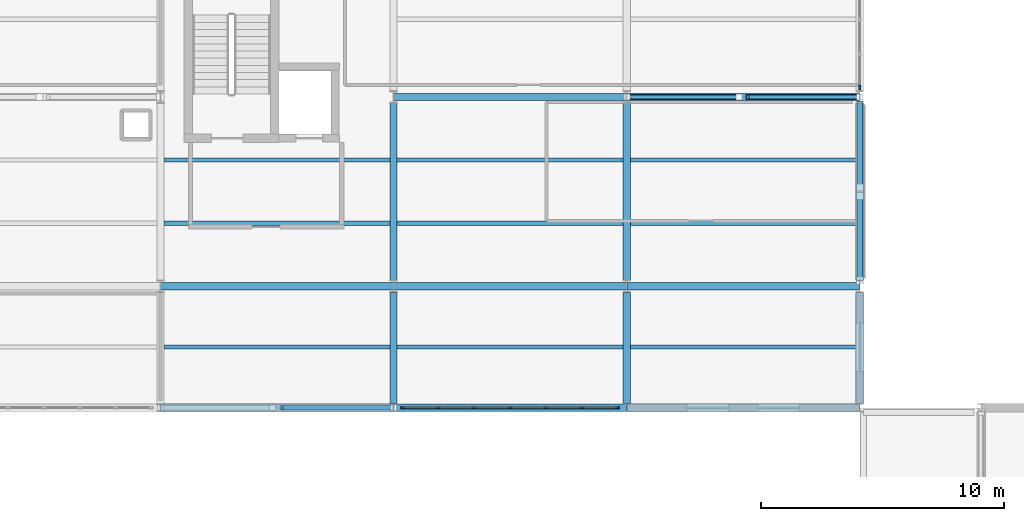
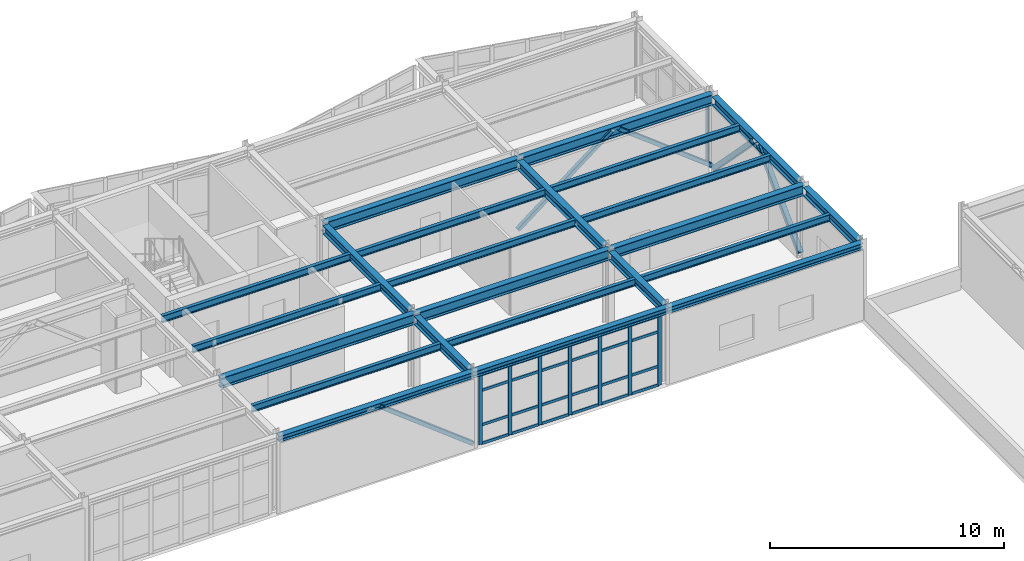
# One storey, part 40 of 76: 37 members, 23 beams, 2 elements without a shape of their own.
"""IFC4 building model written with IfcOpenShell, lengths in metres."""

from ifc_helpers import new_model, si_unit, direction, frame, origin, origin_2d, place, context, subcontext, project, spatial, rectangle, hollow_rectangle, i_section, extrude, material, layer, layer_set, material_profile, profile_set, type_object, element, aggregate, save


model = new_model("IFC4")

# Units and contexts
model_context = context("Model", 3, precision=1e-05, world=origin(), true_north=direction((0.0, 1.0)))
body_context = subcontext(model_context, "Body", "Model", "MODEL_VIEW")
ifc_project = project(units=[si_unit("LENGTHUNIT", "METRE"), si_unit("AREAUNIT", "SQUARE_METRE"), si_unit("VOLUMEUNIT", "CUBIC_METRE"), si_unit("PLANEANGLEUNIT", "RADIAN"), si_unit("MASSUNIT", "GRAM", prefix="KILO")], contexts=[model_context])

# Site, building, storey
site_placement = place(None, origin())
site = spatial("IfcSite", under=ifc_project, at=site_placement, CompositionType="ELEMENT")
building_placement = place(site_placement, origin())
building = spatial("IfcBuilding", under=site, at=building_placement, Name="Nordkorset Police Headquarters", CompositionType="ELEMENT")
storey_placement = place(building_placement, frame((0.0, 0.0, 13.64990234375)))
storey = spatial("IfcBuildingStorey", under=building, at=storey_placement, Name="L03", CompositionType="ELEMENT", Elevation=13.64990234375)

# Beams
ifc_material_1 = material(Name="Steel S355J2", Category="steel")
ifc_material_profile_1 = material_profile(ifc_material_1, i_section(OverallWidth=0.169921875, OverallDepth=0.360107421875, WebThickness=0.008056640625, FlangeThickness=0.0126953125, FilletRadius=0.01806640625, at=origin_2d()), Name="IPE 360")
ifc_profile_set_1 = profile_set([ifc_material_profile_1], Name="Steel S355J2")
beam_type_1 = type_object("IfcBeamType", Name="Beam_IPE_360", PredefinedType="BEAM", material=ifc_profile_set_1)
for number, where, z_axis, x_axis, name in (
    (1, (57.75, 100.10009765625, 3.800048828125), (1.0, 0.0, 0.0), (0.0, 1.0, 0.0), "Composite Floor Beam V2 L03 3-0-1"),
    (2, (57.75, 105.199951171875, 3.800048828125), (1.0, 0.0, 0.0), (0.0, 1.0, 0.0), "Composite Floor Beam V2 L03 3-1-1"),
    (3, (57.75, 107.800048828125, 3.800048828125), (1.0, 0.0, 0.0), (0.0, 1.0, 0.0), "Composite Floor Beam V2 L03 3-1-2"),
):
    element("IfcBeam", number, at=place(storey_placement, frame(where, z_axis=z_axis, x_axis=x_axis)), inside=storey, type_object=beam_type_1, Name=name, PredefinedType="BEAM", context=body_context, shape_type="SweptSolid", body=[
        extrude(i_section(OverallWidth=0.169921875, OverallDepth=0.360107421875, WebThickness=0.008056640625, FlangeThickness=0.0126953125, FilletRadius=0.01806640625, at=origin_2d()), origin(), (0.0, 0.0, 1.0), 9.300048828125),
    ])
for number, where, z_axis, x_axis, name in (
    (4, (67.35009765625, 100.10009765625, 3.800048828125), (1.0, 0.0, 0.0), (0.0, 1.0, 0.0), "Composite Floor Beam V2 L03 4-0-1"),
    (5, (67.35009765625, 105.199951171875, 3.800048828125), (1.0, 0.0, 0.0), (0.0, 1.0, 0.0), "Composite Floor Beam V2 L03 4-1-1"),
    (6, (67.35009765625, 107.800048828125, 3.800048828125), (1.0, 0.0, 0.0), (0.0, 1.0, 0.0), "Composite Floor Beam V2 L03 4-1-2"),
):
    element("IfcBeam", number, at=place(storey_placement, frame(where, z_axis=z_axis, x_axis=x_axis)), inside=storey, type_object=beam_type_1, Name=name, PredefinedType="BEAM", context=body_context, shape_type="SweptSolid", body=[
        extrude(i_section(OverallWidth=0.169921875, OverallDepth=0.360107421875, WebThickness=0.008056640625, FlangeThickness=0.0126953125, FilletRadius=0.01806640625, at=origin_2d()), origin(), (0.0, 0.0, 1.0), 9.2998046875),
    ])
for number, where, z_axis, x_axis, name in (
    (7, (76.949951171875, 100.10009765625, 3.800048828125), (1.0, 0.0, 0.0), (0.0, 1.0, 0.0), "Composite Floor Beam V2 L03 5-0-1"),
    (8, (76.949951171875, 105.199951171875, 3.800048828125), (1.0, 0.0, 0.0), (0.0, 1.0, 0.0), "Composite Floor Beam V2 L03 5-1-1"),
    (9, (76.949951171875, 107.800048828125, 3.800048828125), (1.0, 0.0, 0.0), (0.0, 1.0, 0.0), "Composite Floor Beam V2 L03 5-1-2"),
):
    element("IfcBeam", number, at=place(storey_placement, frame(where, z_axis=z_axis, x_axis=x_axis)), inside=storey, type_object=beam_type_1, Name=name, PredefinedType="BEAM", context=body_context, shape_type="SweptSolid", body=[
        extrude(i_section(OverallWidth=0.169921875, OverallDepth=0.360107421875, WebThickness=0.008056640625, FlangeThickness=0.0126953125, FilletRadius=0.01806640625, at=origin_2d()), origin(), (0.0, 0.0, 1.0), 9.300048828125),
    ])

# Members
ifc_material_2 = material(Name="Steel S355J2", Category="steel")
ifc_material_profile_2 = material_profile(ifc_material_2, hollow_rectangle(XDim=0.199951171875, YDim=0.199951171875, WallThickness=0.010009765625, InnerFilletRadius=0.010009765625, OuterFilletRadius=0.02001953125, at=origin_2d()), Name="SHS 200x200x10")
ifc_profile_set_2 = profile_set([ifc_material_profile_2], Name="Steel S355J2")
member_type_1 = type_object("IfcMemberType", Name="Brace_SHS_200x200x10", PredefinedType="BRACE", material=ifc_profile_set_2)
for number, where, z_axis, x_axis, name in (
    (10, (76.807373046875, 110.39990234375, 0.2001953125), (0.791652543408, 0.0, 0.610971562771), (0.0, 1.0, 0.0), "Lateral Chevron Brace BF-V2-B L03 D1"),
    (11, (86.392578125, 110.39990234375, 0.2001953125), (-0.791652543408, 0.0, 0.610971562771), (0.0, -1.0, 0.0), "Lateral Chevron Brace BF-V2-B L03 D2"),
):
    element("IfcMember", number, at=place(storey_placement, frame(where, z_axis=z_axis, x_axis=x_axis)), inside=storey, type_object=member_type_1, Name=name, PredefinedType="BRACE", context=body_context, shape_type="SweptSolid", body=[
        extrude(hollow_rectangle(XDim=0.199951171875, YDim=0.199951171875, WallThickness=0.010009765625, InnerFilletRadius=0.010009765625, OuterFilletRadius=0.02001953125, at=origin_2d()), origin(), (0.0, 0.0, 1.0), 5.826416015625),
    ])
member_1_placement = place(storey_placement, frame((67.194091796875, 97.60009765625, 0.2001953125), z_axis=(-0.791746363809, 0.0, 0.610849977814), x_axis=(0.0, -1.0, 0.0)))
element("IfcMember", 12, at=member_1_placement, inside=storey, type_object=member_type_1, Name="Lateral Chevron Brace BF-EXT-V2S L03 D2", PredefinedType="BRACE", context=body_context, shape_type="SweptSolid", body=[
    extrude(hollow_rectangle(XDim=0.199951171875, YDim=0.199951171875, WallThickness=0.010009765625, InnerFilletRadius=0.010009765625, OuterFilletRadius=0.02001953125, at=origin_2d()), origin(), (0.0, 0.0, 1.0), 5.82763671875),
])
ifc_material_3 = material(Name="Steel S355J2", Category="steel")
ifc_material_profile_3 = material_profile(ifc_material_3, hollow_rectangle(XDim=0.25, YDim=0.25, WallThickness=0.012451171875, InnerFilletRadius=0.012451171875, OuterFilletRadius=0.02490234375, at=origin_2d()), Name="SHS 250x250x12.5")
ifc_profile_set_3 = profile_set([ifc_material_profile_3], Name="Steel S355J2")
member_type_2 = type_object("IfcMemberType", Name="Brace_SHS_250x250x12.5", PredefinedType="BRACE", material=ifc_profile_set_3)
for number, where, z_axis, x_axis, name in (
    (13, (86.39990234375, 102.85009765625, 0.2001953125), (0.0, 0.69801264089, 0.716085437052), (-1.0, 0.0, 0.0), "Lateral Chevron Brace BF-EXT-V2E L03 D1"),
    (14, (86.39990234375, 110.14990234375, 0.2001953125), (0.0, -0.69801264089, 0.716085437052), (1.0, 0.0, 0.0), "Lateral Chevron Brace BF-EXT-V2E L03 D2"),
):
    element("IfcMember", number, at=place(storey_placement, frame(where, z_axis=z_axis, x_axis=x_axis)), inside=storey, type_object=member_type_2, Name=name, PredefinedType="BRACE", context=body_context, shape_type="SweptSolid", body=[
        extrude(hollow_rectangle(XDim=0.25, YDim=0.25, WallThickness=0.012451171875, InnerFilletRadius=0.012451171875, OuterFilletRadius=0.02490234375, at=origin_2d()), origin(), (0.0, 0.0, 1.0), 4.97119140625),
    ])

# Curtain wall, members
ifc_material_4 = material(Name="Aluminium alloy AW-6060", Category="aluminium")
ifc_layer_1 = layer(ifc_material_4, 0.179931640625, Name="Aluminium alloy AW-6060")
ifc_layer_set_1 = layer_set([ifc_layer_1], Name="Aluminium alloy AW-6060")
curtain_wall_type_1 = type_object("IfcCurtainWallType", Name="CW_Unit_888x365", PredefinedType="USERDEFINED", material=ifc_layer_set_1)
curtain_wall_1_placement = place(storey_placement, origin())
curtain_wall_1 = element("IfcCurtainWall", 15, at=curtain_wall_1_placement, inside=storey, type_object=curtain_wall_type_1, Name="Unitised Curtain Wall L03 V2S-4", ObjectType="UNITISED CURTAIN WALL", PredefinedType="USERDEFINED")
ifc_material_5 = material(Name="Aluminium alloy AW-6060", Category="aluminium")
ifc_material_profile_4 = material_profile(ifc_material_5, rectangle(XDim=0.06494140625, YDim=0.179931640625, at=origin_2d()), Name="ALU MULL 65x180")
ifc_profile_set_4 = profile_set([ifc_material_profile_4], Name="Aluminium alloy AW-6060")
member_type_3 = type_object("IfcMemberType", Name="CW_Mullion_65x180", PredefinedType="MULLION", material=ifc_profile_set_4)
member_2_placement = place(storey_placement, frame((67.592529296875, 97.60009765625, 0.0), z_axis=(0.0, 0.0, 1.0), x_axis=(0.0, 1.0, 0.0)))
member_2 = element("IfcMember", 16, at=member_2_placement, type_object=member_type_3, Name="CW-26 mullion 1", PredefinedType="MULLION", context=body_context, shape_type="SweptSolid", body=[
    extrude(rectangle(XDim=0.06494140625, YDim=0.179931640625, at=origin_2d()), origin(), (0.0, 0.0, 1.0), 3.650146484375),
])
member_3_placement = place(storey_placement, frame((69.0400390625, 97.60009765625, 0.0), z_axis=(0.0, 0.0, 1.0), x_axis=(0.0, 1.0, 0.0)))
member_3 = element("IfcMember", 17, at=member_3_placement, type_object=member_type_3, Name="CW-26 mullion 2", PredefinedType="MULLION", context=body_context, shape_type="SweptSolid", body=[
    extrude(rectangle(XDim=0.06494140625, YDim=0.179931640625, at=origin_2d()), origin(), (0.0, 0.0, 1.0), 3.650146484375),
])
member_4_placement = place(storey_placement, frame((70.52001953125, 97.60009765625, 0.0), z_axis=(0.0, 0.0, 1.0), x_axis=(0.0, 1.0, 0.0)))
member_4 = element("IfcMember", 18, at=member_4_placement, type_object=member_type_3, Name="CW-26 mullion 3", PredefinedType="MULLION", context=body_context, shape_type="SweptSolid", body=[
    extrude(rectangle(XDim=0.06494140625, YDim=0.179931640625, at=origin_2d()), origin(), (0.0, 0.0, 1.0), 3.650146484375),
])
member_5_placement = place(storey_placement, frame((72.0, 97.60009765625, 0.0), z_axis=(0.0, 0.0, 1.0), x_axis=(0.0, 1.0, 0.0)))
member_5 = element("IfcMember", 19, at=member_5_placement, type_object=member_type_3, Name="CW-26 mullion 4", PredefinedType="MULLION", context=body_context, shape_type="SweptSolid", body=[
    extrude(rectangle(XDim=0.06494140625, YDim=0.179931640625, at=origin_2d()), origin(), (0.0, 0.0, 1.0), 3.650146484375),
])
member_6_placement = place(storey_placement, frame((73.47998046875, 97.60009765625, 0.0), z_axis=(0.0, 0.0, 1.0), x_axis=(0.0, 1.0, 0.0)))
member_6 = element("IfcMember", 20, at=member_6_placement, type_object=member_type_3, Name="CW-26 mullion 5", PredefinedType="MULLION", context=body_context, shape_type="SweptSolid", body=[
    extrude(rectangle(XDim=0.06494140625, YDim=0.179931640625, at=origin_2d()), origin(), (0.0, 0.0, 1.0), 3.650146484375),
])
member_7_placement = place(storey_placement, frame((74.9599609375, 97.60009765625, 0.0), z_axis=(0.0, 0.0, 1.0), x_axis=(0.0, 1.0, 0.0)))
member_7 = element("IfcMember", 21, at=member_7_placement, type_object=member_type_3, Name="CW-26 mullion 6", PredefinedType="MULLION", context=body_context, shape_type="SweptSolid", body=[
    extrude(rectangle(XDim=0.06494140625, YDim=0.179931640625, at=origin_2d()), origin(), (0.0, 0.0, 1.0), 3.650146484375),
])
member_8_placement = place(storey_placement, frame((76.407470703125, 97.60009765625, 0.0), z_axis=(0.0, 0.0, 1.0), x_axis=(0.0, 1.0, 0.0)))
member_8 = element("IfcMember", 22, at=member_8_placement, type_object=member_type_3, Name="CW-26 mullion 7", PredefinedType="MULLION", context=body_context, shape_type="SweptSolid", body=[
    extrude(rectangle(XDim=0.06494140625, YDim=0.179931640625, at=origin_2d()), origin(), (0.0, 0.0, 1.0), 3.650146484375),
])

# Curtain wall, member
ifc_material_6 = material(Name="Aluminium alloy AW-6060", Category="aluminium")
ifc_layer_2 = layer(ifc_material_6, 0.179931640625, Name="Aluminium alloy AW-6060")
ifc_layer_set_2 = layer_set([ifc_layer_2], Name="Aluminium alloy AW-6060")
curtain_wall_type_2 = type_object("IfcCurtainWallType", Name="CW_Unit_568x352", PredefinedType="USERDEFINED", material=ifc_layer_set_2)
curtain_wall_2_placement = place(storey_placement, origin())
curtain_wall_2 = element("IfcCurtainWall", 23, at=curtain_wall_2_placement, inside=storey, type_object=curtain_wall_type_2, Name="Unitised Curtain Wall L03 V2E-1", ObjectType="UNITISED CURTAIN WALL", PredefinedType="USERDEFINED")
member_9_placement = place(storey_placement, frame((86.39990234375, 110.79248046875, 0.0), z_axis=(0.0, 0.0, 1.0), x_axis=(-1.0, 0.0, 0.0)))
member_9 = element("IfcMember", 24, at=member_9_placement, type_object=member_type_3, Name="CW-05 mullion 1", PredefinedType="MULLION", context=body_context, shape_type="SweptSolid", body=[
    extrude(rectangle(XDim=0.06494140625, YDim=0.179931640625, at=origin_2d()), origin(), (0.0, 0.0, 1.0), 3.52001953125),
])
aggregate(curtain_wall_2, [member_9])

# Member
ifc_material_7 = material(Name="Aluminium alloy AW-6060", Category="aluminium")
ifc_material_profile_5 = material_profile(ifc_material_7, rectangle(XDim=0.06494140625, YDim=0.139892578125, at=origin_2d()), Name="ALU TRAN 65x140")
ifc_profile_set_5 = profile_set([ifc_material_profile_5], Name="Aluminium alloy AW-6060")
member_type_4 = type_object("IfcMemberType", Name="CW_Transom_65x140", PredefinedType="USERDEFINED", material=ifc_profile_set_5)
member_10_placement = place(storey_placement, frame((67.625, 97.60009765625, 0.03271484375), z_axis=(1.0, 0.0, 0.0), x_axis=(0.0, 1.0, 0.0)))
member_10 = element("IfcMember", 25, at=member_10_placement, type_object=member_type_4, Name="CW-26 transom 1.1", ObjectType="TRANSOM", PredefinedType="USERDEFINED", context=body_context, shape_type="SweptSolid", body=[
    extrude(rectangle(XDim=0.06494140625, YDim=0.139892578125, at=origin_2d()), origin(), (0.0, 0.0, 1.0), 1.382568359375),
])

member_11_placement = place(storey_placement, frame((67.625, 97.60009765625, 1.0), z_axis=(1.0, 0.0, 0.0), x_axis=(0.0, 1.0, 0.0)))
member_11 = element("IfcMember", 26, at=member_11_placement, type_object=member_type_4, Name="CW-26 transom 1.2", ObjectType="TRANSOM", PredefinedType="USERDEFINED", context=body_context, shape_type="SweptSolid", body=[
    extrude(rectangle(XDim=0.06494140625, YDim=0.139892578125, at=origin_2d()), origin(), (0.0, 0.0, 1.0), 1.382568359375),
])

member_12_placement = place(storey_placement, frame((67.625, 97.60009765625, 2.800048828125), z_axis=(1.0, 0.0, 0.0), x_axis=(0.0, 1.0, 0.0)))
member_12 = element("IfcMember", 27, at=member_12_placement, type_object=member_type_4, Name="CW-26 transom 1.3", ObjectType="TRANSOM", PredefinedType="USERDEFINED", context=body_context, shape_type="SweptSolid", body=[
    extrude(rectangle(XDim=0.06494140625, YDim=0.139892578125, at=origin_2d()), origin(), (0.0, 0.0, 1.0), 1.382568359375),
])

member_13_placement = place(storey_placement, frame((67.625, 97.60009765625, 3.61767578125), z_axis=(1.0, 0.0, 0.0), x_axis=(0.0, 1.0, 0.0)))
member_13 = element("IfcMember", 28, at=member_13_placement, type_object=member_type_4, Name="CW-26 transom 1.4", ObjectType="TRANSOM", PredefinedType="USERDEFINED", context=body_context, shape_type="SweptSolid", body=[
    extrude(rectangle(XDim=0.06494140625, YDim=0.139892578125, at=origin_2d()), origin(), (0.0, 0.0, 1.0), 1.382568359375),
])

member_14_placement = place(storey_placement, frame((69.072509765625, 97.60009765625, 0.03271484375), z_axis=(1.0, 0.0, 0.0), x_axis=(0.0, 1.0, 0.0)))
member_14 = element("IfcMember", 29, at=member_14_placement, type_object=member_type_4, Name="CW-26 transom 2.1", ObjectType="TRANSOM", PredefinedType="USERDEFINED", context=body_context, shape_type="SweptSolid", body=[
    extrude(rectangle(XDim=0.06494140625, YDim=0.139892578125, at=origin_2d()), origin(), (0.0, 0.0, 1.0), 1.4150390625),
])

member_15_placement = place(storey_placement, frame((69.072509765625, 97.60009765625, 1.0), z_axis=(1.0, 0.0, 0.0), x_axis=(0.0, 1.0, 0.0)))
member_15 = element("IfcMember", 30, at=member_15_placement, type_object=member_type_4, Name="CW-26 transom 2.2", ObjectType="TRANSOM", PredefinedType="USERDEFINED", context=body_context, shape_type="SweptSolid", body=[
    extrude(rectangle(XDim=0.06494140625, YDim=0.139892578125, at=origin_2d()), origin(), (0.0, 0.0, 1.0), 1.4150390625),
])

member_16_placement = place(storey_placement, frame((69.072509765625, 97.60009765625, 2.800048828125), z_axis=(1.0, 0.0, 0.0), x_axis=(0.0, 1.0, 0.0)))
member_16 = element("IfcMember", 31, at=member_16_placement, type_object=member_type_4, Name="CW-26 transom 2.3", ObjectType="TRANSOM", PredefinedType="USERDEFINED", context=body_context, shape_type="SweptSolid", body=[
    extrude(rectangle(XDim=0.06494140625, YDim=0.139892578125, at=origin_2d()), origin(), (0.0, 0.0, 1.0), 1.4150390625),
])

member_17_placement = place(storey_placement, frame((69.072509765625, 97.60009765625, 3.61767578125), z_axis=(1.0, 0.0, 0.0), x_axis=(0.0, 1.0, 0.0)))
member_17 = element("IfcMember", 32, at=member_17_placement, type_object=member_type_4, Name="CW-26 transom 2.4", ObjectType="TRANSOM", PredefinedType="USERDEFINED", context=body_context, shape_type="SweptSolid", body=[
    extrude(rectangle(XDim=0.06494140625, YDim=0.139892578125, at=origin_2d()), origin(), (0.0, 0.0, 1.0), 1.4150390625),
])

member_18_placement = place(storey_placement, frame((70.552490234375, 97.60009765625, 0.03271484375), z_axis=(1.0, 0.0, 0.0), x_axis=(0.0, 1.0, 0.0)))
member_18 = element("IfcMember", 33, at=member_18_placement, type_object=member_type_4, Name="CW-26 transom 3.1", ObjectType="TRANSOM", PredefinedType="USERDEFINED", context=body_context, shape_type="SweptSolid", body=[
    extrude(rectangle(XDim=0.06494140625, YDim=0.139892578125, at=origin_2d()), origin(), (0.0, 0.0, 1.0), 1.4150390625),
])

member_19_placement = place(storey_placement, frame((70.552490234375, 97.60009765625, 1.0), z_axis=(1.0, 0.0, 0.0), x_axis=(0.0, 1.0, 0.0)))
member_19 = element("IfcMember", 34, at=member_19_placement, type_object=member_type_4, Name="CW-26 transom 3.2", ObjectType="TRANSOM", PredefinedType="USERDEFINED", context=body_context, shape_type="SweptSolid", body=[
    extrude(rectangle(XDim=0.06494140625, YDim=0.139892578125, at=origin_2d()), origin(), (0.0, 0.0, 1.0), 1.4150390625),
])

member_20_placement = place(storey_placement, frame((70.552490234375, 97.60009765625, 2.800048828125), z_axis=(1.0, 0.0, 0.0), x_axis=(0.0, 1.0, 0.0)))
member_20 = element("IfcMember", 35, at=member_20_placement, type_object=member_type_4, Name="CW-26 transom 3.3", ObjectType="TRANSOM", PredefinedType="USERDEFINED", context=body_context, shape_type="SweptSolid", body=[
    extrude(rectangle(XDim=0.06494140625, YDim=0.139892578125, at=origin_2d()), origin(), (0.0, 0.0, 1.0), 1.4150390625),
])

member_21_placement = place(storey_placement, frame((70.552490234375, 97.60009765625, 3.61767578125), z_axis=(1.0, 0.0, 0.0), x_axis=(0.0, 1.0, 0.0)))
member_21 = element("IfcMember", 36, at=member_21_placement, type_object=member_type_4, Name="CW-26 transom 3.4", ObjectType="TRANSOM", PredefinedType="USERDEFINED", context=body_context, shape_type="SweptSolid", body=[
    extrude(rectangle(XDim=0.06494140625, YDim=0.139892578125, at=origin_2d()), origin(), (0.0, 0.0, 1.0), 1.4150390625),
])

member_22_placement = place(storey_placement, frame((72.032470703125, 97.60009765625, 0.03271484375), z_axis=(1.0, 0.0, 0.0), x_axis=(0.0, 1.0, 0.0)))
member_22 = element("IfcMember", 37, at=member_22_placement, type_object=member_type_4, Name="CW-26 transom 4.1", ObjectType="TRANSOM", PredefinedType="USERDEFINED", context=body_context, shape_type="SweptSolid", body=[
    extrude(rectangle(XDim=0.06494140625, YDim=0.139892578125, at=origin_2d()), origin(), (0.0, 0.0, 1.0), 1.4150390625),
])

member_23_placement = place(storey_placement, frame((72.032470703125, 97.60009765625, 1.0), z_axis=(1.0, 0.0, 0.0), x_axis=(0.0, 1.0, 0.0)))
member_23 = element("IfcMember", 38, at=member_23_placement, type_object=member_type_4, Name="CW-26 transom 4.2", ObjectType="TRANSOM", PredefinedType="USERDEFINED", context=body_context, shape_type="SweptSolid", body=[
    extrude(rectangle(XDim=0.06494140625, YDim=0.139892578125, at=origin_2d()), origin(), (0.0, 0.0, 1.0), 1.4150390625),
])

member_24_placement = place(storey_placement, frame((72.032470703125, 97.60009765625, 2.800048828125), z_axis=(1.0, 0.0, 0.0), x_axis=(0.0, 1.0, 0.0)))
member_24 = element("IfcMember", 39, at=member_24_placement, type_object=member_type_4, Name="CW-26 transom 4.3", ObjectType="TRANSOM", PredefinedType="USERDEFINED", context=body_context, shape_type="SweptSolid", body=[
    extrude(rectangle(XDim=0.06494140625, YDim=0.139892578125, at=origin_2d()), origin(), (0.0, 0.0, 1.0), 1.4150390625),
])

member_25_placement = place(storey_placement, frame((72.032470703125, 97.60009765625, 3.61767578125), z_axis=(1.0, 0.0, 0.0), x_axis=(0.0, 1.0, 0.0)))
member_25 = element("IfcMember", 40, at=member_25_placement, type_object=member_type_4, Name="CW-26 transom 4.4", ObjectType="TRANSOM", PredefinedType="USERDEFINED", context=body_context, shape_type="SweptSolid", body=[
    extrude(rectangle(XDim=0.06494140625, YDim=0.139892578125, at=origin_2d()), origin(), (0.0, 0.0, 1.0), 1.4150390625),
])

member_26_placement = place(storey_placement, frame((73.512451171875, 97.60009765625, 0.03271484375), z_axis=(1.0, 0.0, 0.0), x_axis=(0.0, 1.0, 0.0)))
member_26 = element("IfcMember", 41, at=member_26_placement, type_object=member_type_4, Name="CW-26 transom 5.1", ObjectType="TRANSOM", PredefinedType="USERDEFINED", context=body_context, shape_type="SweptSolid", body=[
    extrude(rectangle(XDim=0.06494140625, YDim=0.139892578125, at=origin_2d()), origin(), (0.0, 0.0, 1.0), 1.4150390625),
])

member_27_placement = place(storey_placement, frame((73.512451171875, 97.60009765625, 1.0), z_axis=(1.0, 0.0, 0.0), x_axis=(0.0, 1.0, 0.0)))
member_27 = element("IfcMember", 42, at=member_27_placement, type_object=member_type_4, Name="CW-26 transom 5.2", ObjectType="TRANSOM", PredefinedType="USERDEFINED", context=body_context, shape_type="SweptSolid", body=[
    extrude(rectangle(XDim=0.06494140625, YDim=0.139892578125, at=origin_2d()), origin(), (0.0, 0.0, 1.0), 1.4150390625),
])

member_28_placement = place(storey_placement, frame((73.512451171875, 97.60009765625, 2.800048828125), z_axis=(1.0, 0.0, 0.0), x_axis=(0.0, 1.0, 0.0)))
member_28 = element("IfcMember", 43, at=member_28_placement, type_object=member_type_4, Name="CW-26 transom 5.3", ObjectType="TRANSOM", PredefinedType="USERDEFINED", context=body_context, shape_type="SweptSolid", body=[
    extrude(rectangle(XDim=0.06494140625, YDim=0.139892578125, at=origin_2d()), origin(), (0.0, 0.0, 1.0), 1.4150390625),
])

member_29_placement = place(storey_placement, frame((73.512451171875, 97.60009765625, 3.61767578125), z_axis=(1.0, 0.0, 0.0), x_axis=(0.0, 1.0, 0.0)))
member_29 = element("IfcMember", 44, at=member_29_placement, type_object=member_type_4, Name="CW-26 transom 5.4", ObjectType="TRANSOM", PredefinedType="USERDEFINED", context=body_context, shape_type="SweptSolid", body=[
    extrude(rectangle(XDim=0.06494140625, YDim=0.139892578125, at=origin_2d()), origin(), (0.0, 0.0, 1.0), 1.4150390625),
])

member_30_placement = place(storey_placement, frame((74.992431640625, 97.60009765625, 0.03271484375), z_axis=(1.0, 0.0, 0.0), x_axis=(0.0, 1.0, 0.0)))
member_30 = element("IfcMember", 45, at=member_30_placement, type_object=member_type_4, Name="CW-26 transom 6.1", ObjectType="TRANSOM", PredefinedType="USERDEFINED", context=body_context, shape_type="SweptSolid", body=[
    extrude(rectangle(XDim=0.06494140625, YDim=0.139892578125, at=origin_2d()), origin(), (0.0, 0.0, 1.0), 1.382568359375),
])

member_31_placement = place(storey_placement, frame((74.992431640625, 97.60009765625, 1.0), z_axis=(1.0, 0.0, 0.0), x_axis=(0.0, 1.0, 0.0)))
member_31 = element("IfcMember", 46, at=member_31_placement, type_object=member_type_4, Name="CW-26 transom 6.2", ObjectType="TRANSOM", PredefinedType="USERDEFINED", context=body_context, shape_type="SweptSolid", body=[
    extrude(rectangle(XDim=0.06494140625, YDim=0.139892578125, at=origin_2d()), origin(), (0.0, 0.0, 1.0), 1.382568359375),
])

member_32_placement = place(storey_placement, frame((74.992431640625, 97.60009765625, 2.800048828125), z_axis=(1.0, 0.0, 0.0), x_axis=(0.0, 1.0, 0.0)))
member_32 = element("IfcMember", 47, at=member_32_placement, type_object=member_type_4, Name="CW-26 transom 6.3", ObjectType="TRANSOM", PredefinedType="USERDEFINED", context=body_context, shape_type="SweptSolid", body=[
    extrude(rectangle(XDim=0.06494140625, YDim=0.139892578125, at=origin_2d()), origin(), (0.0, 0.0, 1.0), 1.382568359375),
])

member_33_placement = place(storey_placement, frame((74.992431640625, 97.60009765625, 3.61767578125), z_axis=(1.0, 0.0, 0.0), x_axis=(0.0, 1.0, 0.0)))
member_33 = element("IfcMember", 48, at=member_33_placement, type_object=member_type_4, Name="CW-26 transom 6.4", ObjectType="TRANSOM", PredefinedType="USERDEFINED", context=body_context, shape_type="SweptSolid", body=[
    extrude(rectangle(XDim=0.06494140625, YDim=0.139892578125, at=origin_2d()), origin(), (0.0, 0.0, 1.0), 1.382568359375),
])

aggregate(curtain_wall_1, [member_2, member_3, member_4, member_5, member_6, member_7, member_8, member_10, member_11, member_12, member_13, member_14, member_15, member_16, member_17, member_18, member_19, member_20, member_21, member_22, member_23, member_24, member_25, member_26, member_27, member_28, member_29, member_30, member_31, member_32, member_33])

# Beams
ifc_material_8 = material(Name="Steel S355J2", Category="steel")
ifc_material_profile_6 = material_profile(ifc_material_8, i_section(OverallWidth=0.300048828125, OverallDepth=0.43994140625, WebThickness=0.011474609375, FlangeThickness=0.02099609375, FilletRadius=0.027099609375, at=origin_2d()), Name="HEA 450")
ifc_profile_set_6 = profile_set([ifc_material_profile_6], Name="Steel S355J2")
beam_type_2 = type_object("IfcBeamType", Name="Girder_HEA_450", PredefinedType="USERDEFINED", material=ifc_profile_set_6)
beam_1_placement = place(storey_placement, frame((67.199951171875, 97.77001953125, 3.760009765625), z_axis=(0.0, 1.0, 0.0), x_axis=(-1.0, 0.0, 0.0)))
element("IfcBeam", 49, at=beam_1_placement, inside=storey, type_object=beam_type_2, Name="Girder V2 L03 GY-4-0", ObjectType="GIRDER", PredefinedType="USERDEFINED", context=body_context, shape_type="SweptSolid", body=[
    extrude(i_section(OverallWidth=0.300048828125, OverallDepth=0.43994140625, WebThickness=0.011474609375, FlangeThickness=0.02099609375, FilletRadius=0.027099609375, at=origin_2d()), origin(), (0.0, 0.0, 1.0), 4.580078125),
])
beam_2_placement = place(storey_placement, frame((67.199951171875, 102.85009765625, 3.760009765625), z_axis=(0.0, 1.0, 0.0), x_axis=(-1.0, 0.0, 0.0)))
element("IfcBeam", 50, at=beam_2_placement, inside=storey, type_object=beam_type_2, Name="Girder V2 L03 GY-4-1", ObjectType="GIRDER", PredefinedType="USERDEFINED", context=body_context, shape_type="SweptSolid", body=[
    extrude(i_section(OverallWidth=0.300048828125, OverallDepth=0.43994140625, WebThickness=0.011474609375, FlangeThickness=0.02099609375, FilletRadius=0.027099609375, at=origin_2d()), origin(), (0.0, 0.0, 1.0), 7.2998046875),
])
beam_3_placement = place(storey_placement, frame((76.800048828125, 97.77001953125, 3.760009765625), z_axis=(0.0, 1.0, 0.0), x_axis=(-1.0, 0.0, 0.0)))
element("IfcBeam", 51, at=beam_3_placement, inside=storey, type_object=beam_type_2, Name="Girder V2 L03 GY-5-0", ObjectType="GIRDER", PredefinedType="USERDEFINED", context=body_context, shape_type="SweptSolid", body=[
    extrude(i_section(OverallWidth=0.300048828125, OverallDepth=0.43994140625, WebThickness=0.011474609375, FlangeThickness=0.02099609375, FilletRadius=0.027099609375, at=origin_2d()), origin(), (0.0, 0.0, 1.0), 4.580078125),
])
beam_4_placement = place(storey_placement, frame((76.800048828125, 102.85009765625, 3.760009765625), z_axis=(0.0, 1.0, 0.0), x_axis=(-1.0, 0.0, 0.0)))
element("IfcBeam", 52, at=beam_4_placement, inside=storey, type_object=beam_type_2, Name="Girder V2 L03 GY-5-1", ObjectType="GIRDER", PredefinedType="USERDEFINED", context=body_context, shape_type="SweptSolid", body=[
    extrude(i_section(OverallWidth=0.300048828125, OverallDepth=0.43994140625, WebThickness=0.011474609375, FlangeThickness=0.02099609375, FilletRadius=0.027099609375, at=origin_2d()), origin(), (0.0, 0.0, 1.0), 7.2998046875),
])
beam_5_placement = place(storey_placement, frame((86.39990234375, 97.77001953125, 3.760009765625), z_axis=(0.0, 1.0, 0.0), x_axis=(-1.0, 0.0, 0.0)))
element("IfcBeam", 53, at=beam_5_placement, inside=storey, type_object=beam_type_2, Name="Girder V2 L03 GY-6-0", ObjectType="GIRDER", PredefinedType="USERDEFINED", context=body_context, shape_type="SweptSolid", body=[
    extrude(i_section(OverallWidth=0.300048828125, OverallDepth=0.43994140625, WebThickness=0.011474609375, FlangeThickness=0.02099609375, FilletRadius=0.027099609375, at=origin_2d()), origin(), (0.0, 0.0, 1.0), 4.580078125),
])
beam_6_placement = place(storey_placement, frame((86.39990234375, 102.85009765625, 3.760009765625), z_axis=(0.0, 1.0, 0.0), x_axis=(-1.0, 0.0, 0.0)))
element("IfcBeam", 54, at=beam_6_placement, inside=storey, type_object=beam_type_2, Name="Girder V2 L03 GY-6-1", ObjectType="GIRDER", PredefinedType="USERDEFINED", context=body_context, shape_type="SweptSolid", body=[
    extrude(i_section(OverallWidth=0.300048828125, OverallDepth=0.43994140625, WebThickness=0.011474609375, FlangeThickness=0.02099609375, FilletRadius=0.027099609375, at=origin_2d()), origin(), (0.0, 0.0, 1.0), 7.2998046875),
])
ifc_material_9 = material(Name="Steel S355J2", Category="steel")
ifc_material_profile_7 = material_profile(ifc_material_9, i_section(OverallWidth=0.300048828125, OverallDepth=0.5400390625, WebThickness=0.012451171875, FlangeThickness=0.02392578125, FilletRadius=0.027099609375, at=origin_2d()), Name="HEA 550")
ifc_profile_set_7 = profile_set([ifc_material_profile_7], Name="Steel S355J2")
beam_type_3 = type_object("IfcBeamType", Name="Girder_HEA_550", PredefinedType="USERDEFINED", material=ifc_profile_set_7)
beam_7_placement = place(storey_placement, frame((57.607421875, 102.60009765625, 3.710205078125), z_axis=(1.0, 0.0, 0.0), x_axis=(0.0, 1.0, 0.0)))
element("IfcBeam", 55, at=beam_7_placement, inside=storey, type_object=beam_type_3, Name="Girder V2 L03 GX-1-3", ObjectType="GIRDER", PredefinedType="USERDEFINED", context=body_context, shape_type="SweptSolid", body=[
    extrude(i_section(OverallWidth=0.300048828125, OverallDepth=0.5400390625, WebThickness=0.012451171875, FlangeThickness=0.02392578125, FilletRadius=0.027099609375, at=origin_2d()), origin(), (0.0, 0.0, 1.0), 9.585205078125),
])
beam_8_placement = place(storey_placement, frame((67.207275390625, 102.60009765625, 3.710205078125), z_axis=(1.0, 0.0, 0.0), x_axis=(0.0, 1.0, 0.0)))
element("IfcBeam", 56, at=beam_8_placement, inside=storey, type_object=beam_type_3, Name="Girder V2 L03 GX-1-4", ObjectType="GIRDER", PredefinedType="USERDEFINED", context=body_context, shape_type="SweptSolid", body=[
    extrude(i_section(OverallWidth=0.300048828125, OverallDepth=0.5400390625, WebThickness=0.012451171875, FlangeThickness=0.02392578125, FilletRadius=0.027099609375, at=origin_2d()), origin(), (0.0, 0.0, 1.0), 9.58544921875),
])
beam_9_placement = place(storey_placement, frame((76.807373046875, 102.60009765625, 3.710205078125), z_axis=(1.0, 0.0, 0.0), x_axis=(0.0, 1.0, 0.0)))
element("IfcBeam", 57, at=beam_9_placement, inside=storey, type_object=beam_type_3, Name="Girder V2 L03 GX-1-5", ObjectType="GIRDER", PredefinedType="USERDEFINED", context=body_context, shape_type="SweptSolid", body=[
    extrude(i_section(OverallWidth=0.300048828125, OverallDepth=0.5400390625, WebThickness=0.012451171875, FlangeThickness=0.02392578125, FilletRadius=0.027099609375, at=origin_2d()), origin(), (0.0, 0.0, 1.0), 9.585205078125),
])
beam_10_placement = place(storey_placement, frame((67.207275390625, 110.39990234375, 3.710205078125), z_axis=(1.0, 0.0, 0.0), x_axis=(0.0, 1.0, 0.0)))
element("IfcBeam", 58, at=beam_10_placement, inside=storey, type_object=beam_type_3, Name="Girder V2 L03 GX-2-4", ObjectType="GIRDER", PredefinedType="USERDEFINED", context=body_context, shape_type="SweptSolid", body=[
    extrude(i_section(OverallWidth=0.300048828125, OverallDepth=0.5400390625, WebThickness=0.012451171875, FlangeThickness=0.02392578125, FilletRadius=0.027099609375, at=origin_2d()), origin(), (0.0, 0.0, 1.0), 9.58544921875),
])
beam_11_placement = place(storey_placement, frame((76.807373046875, 110.39990234375, 3.710205078125), z_axis=(1.0, 0.0, 0.0), x_axis=(0.0, 1.0, 0.0)))
element("IfcBeam", 59, at=beam_11_placement, inside=storey, type_object=beam_type_3, Name="Girder V2 L03 GX-2-5", ObjectType="GIRDER", PredefinedType="USERDEFINED", context=body_context, shape_type="SweptSolid", body=[
    extrude(i_section(OverallWidth=0.300048828125, OverallDepth=0.5400390625, WebThickness=0.012451171875, FlangeThickness=0.02392578125, FilletRadius=0.027099609375, at=origin_2d()), origin(), (0.0, 0.0, 1.0), 9.585205078125),
])
ifc_material_10 = material(Name="Steel S355J2", Category="steel")
ifc_material_profile_8 = material_profile(ifc_material_10, i_section(OverallWidth=0.300048828125, OverallDepth=0.31005859375, WebThickness=0.009033203125, FlangeThickness=0.015380859375, FilletRadius=0.027099609375, at=origin_2d()), Name="HEA 320")
ifc_profile_set_8 = profile_set([ifc_material_profile_8], Name="Steel S355J2")
beam_type_4 = type_object("IfcBeamType", Name="Spandrel_HEA_320", PredefinedType="SPANDREL", material=ifc_profile_set_8)
beam_12_placement = place(storey_placement, frame((57.60595703125, 97.60009765625, 3.8251953125), z_axis=(1.0, 0.0, 0.0), x_axis=(0.0, 1.0, 0.0)))
element("IfcBeam", 60, at=beam_12_placement, inside=storey, type_object=beam_type_4, Name="Girder V2 L03 GX-0-3", PredefinedType="SPANDREL", context=body_context, shape_type="SweptSolid", body=[
    extrude(i_section(OverallWidth=0.300048828125, OverallDepth=0.31005859375, WebThickness=0.009033203125, FlangeThickness=0.015380859375, FilletRadius=0.027099609375, at=origin_2d()), origin(), (0.0, 0.0, 1.0), 9.588134765625),
])
beam_13_placement = place(storey_placement, frame((67.2060546875, 97.60009765625, 3.8251953125), z_axis=(1.0, 0.0, 0.0), x_axis=(0.0, 1.0, 0.0)))
element("IfcBeam", 61, at=beam_13_placement, inside=storey, type_object=beam_type_4, Name="Girder V2 L03 GX-0-4", PredefinedType="SPANDREL", context=body_context, shape_type="SweptSolid", body=[
    extrude(i_section(OverallWidth=0.300048828125, OverallDepth=0.31005859375, WebThickness=0.009033203125, FlangeThickness=0.015380859375, FilletRadius=0.027099609375, at=origin_2d()), origin(), (0.0, 0.0, 1.0), 9.587890625),
])
beam_14_placement = place(storey_placement, frame((76.805908203125, 97.60009765625, 3.8251953125), z_axis=(1.0, 0.0, 0.0), x_axis=(0.0, 1.0, 0.0)))
element("IfcBeam", 62, at=beam_14_placement, inside=storey, type_object=beam_type_4, Name="Girder V2 L03 GX-0-5", PredefinedType="SPANDREL", context=body_context, shape_type="SweptSolid", body=[
    extrude(i_section(OverallWidth=0.300048828125, OverallDepth=0.31005859375, WebThickness=0.009033203125, FlangeThickness=0.015380859375, FilletRadius=0.027099609375, at=origin_2d()), origin(), (0.0, 0.0, 1.0), 9.588134765625),
])

save(model, "model.ifc")
